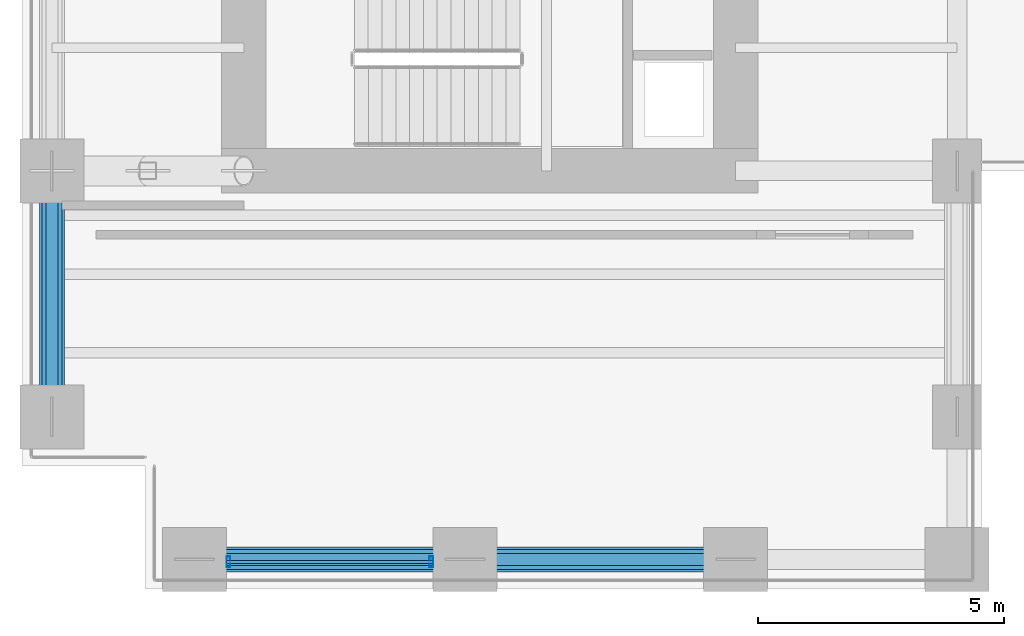
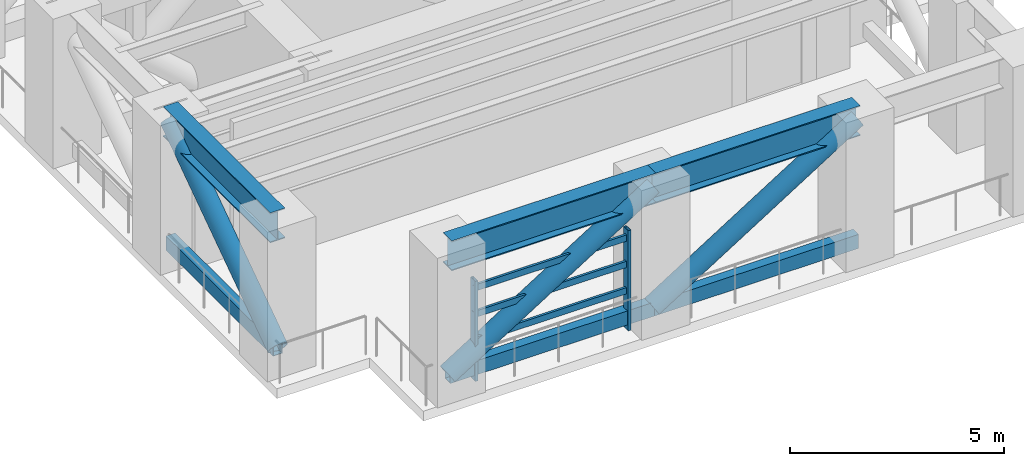
# One storey, part 2 of 16: 11 members, 3 beams, 1 element without a shape of its own.
"""IFC4 building model written with IfcOpenShell, lengths in metres."""

from ifc_helpers import new_model, si_unit, direction, frame, origin, origin_2d, place, context, subcontext, project, spatial, hollow_rectangle, hollow_circle, i_section, extrude, source, transform, mapped, material, layer, layer_set, material_profile, profile_set, type_object, element, aggregate, save


model = new_model("IFC4")

# Units and contexts
model_context = context("Model", 3, precision=1e-05, world=origin(), true_north=direction((0.0, 1.0)))
body_context = subcontext(model_context, "Body", "Model", "MODEL_VIEW")
ifc_project = project(units=[si_unit("LENGTHUNIT", "METRE"), si_unit("AREAUNIT", "SQUARE_METRE"), si_unit("VOLUMEUNIT", "CUBIC_METRE"), si_unit("PLANEANGLEUNIT", "RADIAN"), si_unit("MASSUNIT", "GRAM", prefix="KILO")], contexts=[model_context])

# Site, building, storey
site_placement = place(None, origin())
site = spatial("IfcSite", under=ifc_project, at=site_placement, CompositionType="ELEMENT")
building_placement = place(site_placement, origin())
building = spatial("IfcBuilding", under=site, at=building_placement, Name="Kharzan Plaza Tower", CompositionType="ELEMENT")
storey_placement = place(building_placement, frame((0.0, 0.0, 72.89990234375)))
storey = spatial("IfcBuildingStorey", under=building, at=storey_placement, Name="L19", CompositionType="ELEMENT", Elevation=72.89990234375)

# Beams
ifc_material_1 = material(Name="Steel S355", Category="steel")
ifc_material_profile_1 = material_profile(ifc_material_1, i_section(OverallWidth=0.40087890625, OverallDepth=0.85498046875, WebThickness=0.018310546875, FlangeThickness=0.029296875, at=origin_2d()), Name="W840x299")
ifc_profile_set_1 = profile_set([ifc_material_profile_1], Name="Steel S355")
beam_type = type_object("IfcBeamType", Name="BM-SP840A", PredefinedType="SPANDREL", material=ifc_profile_set_1)
shared_shape_1 = source(origin(), body_context, "Body", "SweptSolid", [
    extrude(i_section(OverallWidth=0.40087890625, OverallDepth=0.85498046875, WebThickness=0.018310546875, FlangeThickness=0.029296875, at=origin_2d()), origin(), (0.0, 0.0, 1.0), 5.0),
])
beam_placement = place(storey_placement, frame((0.60009765625, 3.5, 3.83251953125), z_axis=(0.0, 1.0, 0.0), x_axis=(-1.0, 0.0, 0.0)))
element("IfcBeam", 1, at=beam_placement, inside=storey, type_object=beam_type, Name="L19 Perimeter Tube Spandrel", PredefinedType="SPANDREL", context=body_context, shape_type="MappedRepresentation", body=[
    mapped(shared_shape_1, transform((0.0, 0.0, 0.0), x_axis=(1.0, 0.0, 0.0), y_axis=(0.0, 1.0, 0.0), z_axis=(0.0, 0.0, 1.0))),
])
shared_shape_2 = source(origin(), body_context, "Body", "SweptSolid", [
    extrude(i_section(OverallWidth=0.40087890625, OverallDepth=0.85498046875, WebThickness=0.018310546875, FlangeThickness=0.029296875, at=origin_2d()), origin(), (0.0, 0.0, 1.0), 5.5),
])
for number, where, z_axis, x_axis, name in (
    (2, (3.5, 0.60009765625, 3.83251953125), (1.0, 0.0, 0.0), (0.0, 1.0, 0.0), "L19 Perimeter Tube Spandrel"),
    (3, (9.0, 0.60009765625, 3.83251953125), (1.0, 0.0, 0.0), (0.0, 1.0, 0.0), "L19 Perimeter Tube Spandrel"),
):
    element("IfcBeam", number, at=place(storey_placement, frame(where, z_axis=z_axis, x_axis=x_axis)), inside=storey, type_object=beam_type, Name=name, PredefinedType="SPANDREL", context=body_context, shape_type="MappedRepresentation", body=[
        mapped(shared_shape_2, transform((0.0, 0.0, 0.0), x_axis=(1.0, 0.0, 0.0), y_axis=(0.0, 1.0, 0.0), z_axis=(0.0, 0.0, 1.0))),
    ])

# Members
ifc_material_profile_2 = material_profile(ifc_material_1, hollow_rectangle(XDim=0.25, YDim=0.39990234375, WallThickness=0.01611328125, at=origin_2d()), Name="RHS400x250x16")
ifc_profile_set_2 = profile_set([ifc_material_profile_2], Name="Steel S355")
member_type_1 = type_object("IfcMemberType", Name="MEM-BT-CHORD", PredefinedType="CHORD", material=ifc_profile_set_2)
shared_shape_3 = source(origin(), body_context, "Body", "SweptSolid", [
    extrude(hollow_rectangle(XDim=0.25, YDim=0.39990234375, WallThickness=0.01611328125, at=origin_2d()), origin(), (0.0, 0.0, 1.0), 5.0),
])
member_1_placement = place(storey_placement, frame((0.60009765625, 3.5, 0.35009765625), z_axis=(0.0, 1.0, 0.0), x_axis=(-1.0, 0.0, 0.0)))
element("IfcMember", 4, at=member_1_placement, inside=storey, type_object=member_type_1, Name="L19 Belt Truss Bottom Chord BTW-1", PredefinedType="CHORD", context=body_context, shape_type="MappedRepresentation", body=[
    mapped(shared_shape_3, transform((0.0, 0.0, 0.0), x_axis=(1.0, 0.0, 0.0), y_axis=(0.0, 1.0, 0.0), z_axis=(0.0, 0.0, 1.0))),
])
shared_shape_4 = source(origin(), body_context, "Body", "SweptSolid", [
    extrude(hollow_rectangle(XDim=0.25, YDim=0.39990234375, WallThickness=0.01611328125, at=origin_2d()), origin(), (0.0, 0.0, 1.0), 5.5),
])
for number, where, z_axis, x_axis, name in (
    (5, (3.5, 0.60009765625, 0.35009765625), (1.0, 0.0, 0.0), (0.0, 1.0, 0.0), "L19 Belt Truss Bottom Chord BTS-1"),
    (6, (9.0, 0.60009765625, 0.35009765625), (1.0, 0.0, 0.0), (0.0, 1.0, 0.0), "L19 Belt Truss Bottom Chord BTS-2"),
):
    element("IfcMember", number, at=place(storey_placement, frame(where, z_axis=z_axis, x_axis=x_axis)), inside=storey, type_object=member_type_1, Name=name, PredefinedType="CHORD", context=body_context, shape_type="MappedRepresentation", body=[
        mapped(shared_shape_4, transform((0.0, 0.0, 0.0), x_axis=(1.0, 0.0, 0.0), y_axis=(0.0, 1.0, 0.0), z_axis=(0.0, 0.0, 1.0))),
    ])
ifc_material_profile_3 = material_profile(ifc_material_1, hollow_circle(Radius=0.25390625, WallThickness=0.02001953125, at=origin_2d()), Name="CHS508x20")
ifc_profile_set_3 = profile_set([ifc_material_profile_3], Name="Steel S355")
member_type_2 = type_object("IfcMemberType", Name="MEM-BT-DIAG", PredefinedType="BRACE", material=ifc_profile_set_3)
shared_shape_5 = source(origin(), body_context, "Body", "SweptSolid", [
    extrude(hollow_circle(Radius=0.25390625, WallThickness=0.02001953125, at=origin_2d()), origin(), (0.0, 0.0, 1.0), 6.080322265625),
])
member_2_placement = place(storey_placement, frame((0.60009765625, 3.5, 0.35009765625), z_axis=(0.0, 0.822313592679, 0.569034581809), x_axis=(-1.0, 0.0, 0.0)))
element("IfcMember", 7, at=member_2_placement, inside=storey, type_object=member_type_2, Name="L19 Belt Truss Diagonal BTW-1", PredefinedType="BRACE", context=body_context, shape_type="MappedRepresentation", body=[
    mapped(shared_shape_5, transform((0.0, 0.0, 0.0), x_axis=(1.0, 0.0, 0.0), y_axis=(0.0, 1.0, 0.0), z_axis=(0.0, 0.0, 1.0))),
])
shared_shape_6 = source(origin(), body_context, "Body", "SweptSolid", [
    extrude(hollow_circle(Radius=0.25390625, WallThickness=0.02001953125, at=origin_2d()), origin(), (0.0, 0.0, 1.0), 6.497802734375),
])
for number, where, z_axis, x_axis, name in (
    (8, (3.5, 0.60009765625, 0.35009765625), (0.846441086953, 0.0, 0.532482381228), (0.0, 1.0, 0.0), "L19 Belt Truss Diagonal BTS-1"),
    (9, (9.0, 0.60009765625, 0.35009765625), (0.846441086953, 0.0, 0.532482381228), (0.0, 1.0, 0.0), "L19 Belt Truss Diagonal BTS-2"),
):
    element("IfcMember", number, at=place(storey_placement, frame(where, z_axis=z_axis, x_axis=x_axis)), inside=storey, type_object=member_type_2, Name=name, PredefinedType="BRACE", context=body_context, shape_type="MappedRepresentation", body=[
        mapped(shared_shape_6, transform((0.0, 0.0, 0.0), x_axis=(1.0, 0.0, 0.0), y_axis=(0.0, 1.0, 0.0), z_axis=(0.0, 0.0, 1.0))),
    ])

# Curtain wall, members
ifc_material_2 = material(Name="Unitised Bronze-Anodized Aluminium and Low-E Glass", Category="aluminium")
ifc_layer = layer(ifc_material_2, 0.199951171875)
ifc_layer_set = layer_set([ifc_layer], Name="Unitised Bronze-Anodized Aluminium and Low-E Glass")
curtain_wall_type = type_object("IfcCurtainWallType", Name="CW-SKY-4", PredefinedType="NOTDEFINED", material=ifc_layer_set)
curtain_wall_placement = place(storey_placement, origin())
curtain_wall = element("IfcCurtainWall", 10, at=curtain_wall_placement, inside=storey, type_object=curtain_wall_type, Name="L19 Mechanical Intake Louvre Curtain-Wall Assembly", PredefinedType="NOTDEFINED")
ifc_material_3 = material(Name="Anodized Bronze Aluminium", Category="aluminium")
ifc_material_profile_4 = material_profile(ifc_material_3, hollow_rectangle(XDim=0.074951171875, YDim=0.219970703125, WallThickness=0.00390625, at=origin_2d()), Name="ALU-M220x75x4")
ifc_profile_set_4 = profile_set([ifc_material_profile_4], Name="Anodized Bronze Aluminium")
member_type_3 = type_object("IfcMemberType", Name="MEM-CW-MUL200", PredefinedType="MULLION", material=ifc_profile_set_4)
shared_shape_7 = source(origin(), body_context, "Body", "SweptSolid", [
    extrude(hollow_rectangle(XDim=0.074951171875, YDim=0.219970703125, WallThickness=0.00390625, at=origin_2d()), origin(), (0.0, 0.0, 1.0), 2.85009765625),
])
member_3_placement = place(storey_placement, frame((4.18994140625, 0.550048828125, 0.0), z_axis=(0.0, 0.0, 1.0), x_axis=(1.0, 0.0, 0.0)))
member_3 = element("IfcMember", 11, at=member_3_placement, type_object=member_type_3, Name="L19 Louvre Frame Vertical Mullion 01", PredefinedType="MULLION", context=body_context, shape_type="MappedRepresentation", body=[
    mapped(shared_shape_7, transform((0.0, 0.0, 0.0), x_axis=(1.0, 0.0, 0.0), y_axis=(0.0, 1.0, 0.0), z_axis=(0.0, 0.0, 1.0))),
])
member_4_placement = place(storey_placement, frame((8.31005859375, 0.550048828125, 0.0), z_axis=(0.0, 0.0, 1.0), x_axis=(1.0, 0.0, 0.0)))
member_4 = element("IfcMember", 12, at=member_4_placement, type_object=member_type_3, Name="L19 Louvre Frame Vertical Mullion 02", PredefinedType="MULLION", context=body_context, shape_type="MappedRepresentation", body=[
    mapped(shared_shape_7, transform((0.0, 0.0, 0.0), x_axis=(1.0, 0.0, 0.0), y_axis=(0.0, 1.0, 0.0), z_axis=(0.0, 0.0, 1.0))),
])
ifc_material_profile_5 = material_profile(ifc_material_3, hollow_rectangle(XDim=0.06494140625, YDim=0.179931640625, WallThickness=0.00390625, at=origin_2d()), Name="ALU-M180x65x4")
ifc_profile_set_5 = profile_set([ifc_material_profile_5], Name="Anodized Bronze Aluminium")
member_type_4 = type_object("IfcMemberType", Name="MEM-LOUVRE-250", PredefinedType="USERDEFINED", material=ifc_profile_set_5)
shared_shape_8 = source(origin(), body_context, "Body", "SweptSolid", [
    extrude(hollow_rectangle(XDim=0.06494140625, YDim=0.179931640625, WallThickness=0.00390625, at=origin_2d()), origin(), (0.0, 0.0, 1.0), 4.2001953125),
])
member_5_placement = place(storey_placement, frame((4.14990234375, 0.550048828125, 1.10009765625), z_axis=(1.0, 0.0, 0.0), x_axis=(0.0, 1.0, 0.0)))
member_5 = element("IfcMember", 13, at=member_5_placement, type_object=member_type_4, Name="L19 Acoustic Intake Louvre Blade 1", ObjectType="TRANSOM", PredefinedType="USERDEFINED", context=body_context, shape_type="MappedRepresentation", body=[
    mapped(shared_shape_8, transform((0.0, 0.0, 0.0), x_axis=(1.0, 0.0, 0.0), y_axis=(0.0, 1.0, 0.0), z_axis=(0.0, 0.0, 1.0))),
])
member_6_placement = place(storey_placement, frame((4.14990234375, 0.550048828125, 1.85009765625), z_axis=(1.0, 0.0, 0.0), x_axis=(0.0, 1.0, 0.0)))
member_6 = element("IfcMember", 14, at=member_6_placement, type_object=member_type_4, Name="L19 Acoustic Intake Louvre Blade 2", ObjectType="TRANSOM", PredefinedType="USERDEFINED", context=body_context, shape_type="MappedRepresentation", body=[
    mapped(shared_shape_8, transform((0.0, 0.0, 0.0), x_axis=(1.0, 0.0, 0.0), y_axis=(0.0, 1.0, 0.0), z_axis=(0.0, 0.0, 1.0))),
])
member_7_placement = place(storey_placement, frame((4.14990234375, 0.550048828125, 2.60009765625), z_axis=(1.0, 0.0, 0.0), x_axis=(0.0, 1.0, 0.0)))
member_7 = element("IfcMember", 15, at=member_7_placement, type_object=member_type_4, Name="L19 Acoustic Intake Louvre Blade 3", ObjectType="TRANSOM", PredefinedType="USERDEFINED", context=body_context, shape_type="MappedRepresentation", body=[
    mapped(shared_shape_8, transform((0.0, 0.0, 0.0), x_axis=(1.0, 0.0, 0.0), y_axis=(0.0, 1.0, 0.0), z_axis=(0.0, 0.0, 1.0))),
])
aggregate(curtain_wall, [member_3, member_4, member_5, member_6, member_7])

save(model, "model.ifc")
